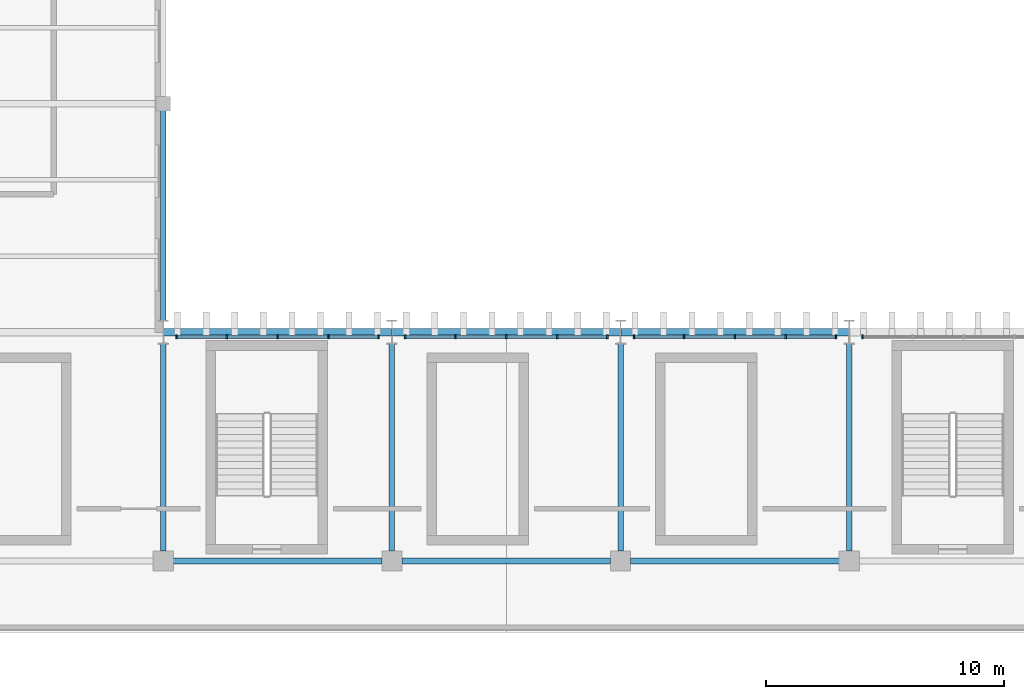
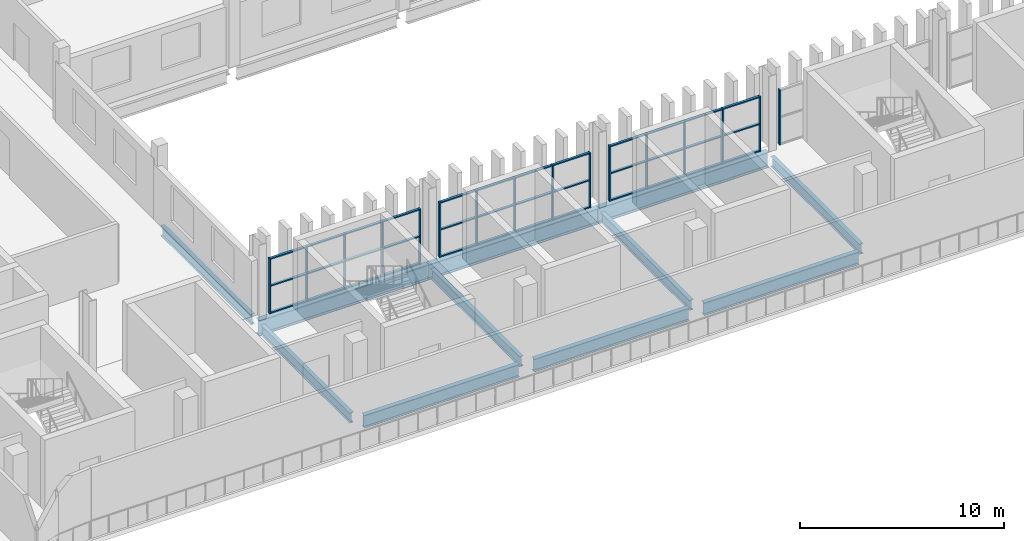
# One storey, part 22 of 92: 52 members, 11 beams, 4 elements without a shape of their own.
"""IFC4 building model written with IfcOpenShell, lengths in metres."""

from ifc_helpers import new_model, si_unit, direction, frame, origin, origin_2d, place, context, subcontext, project, spatial, rectangle, i_section, extrude, material, layer, layer_set, material_profile, profile_set, type_object, element, aggregate, save


model = new_model("IFC4")

# Units and contexts
model_context = context("Model", 3, precision=1e-05, world=origin(), true_north=direction((0.0, 1.0)))
body_context = subcontext(model_context, "Body", "Model", "MODEL_VIEW")
ifc_project = project(units=[si_unit("LENGTHUNIT", "METRE"), si_unit("AREAUNIT", "SQUARE_METRE"), si_unit("VOLUMEUNIT", "CUBIC_METRE"), si_unit("PLANEANGLEUNIT", "RADIAN"), si_unit("MASSUNIT", "GRAM", prefix="KILO")], contexts=[model_context])

# Site, building, storey
site_placement = place(None, origin())
site = spatial("IfcSite", under=ifc_project, at=site_placement, CompositionType="ELEMENT")
building_placement = place(site_placement, origin())
building = spatial("IfcBuilding", under=site, at=building_placement, Name="Caelomonte Colonnade Arena", CompositionType="ELEMENT")
storey_placement = place(building_placement, frame((0.0, 0.0, 9.60009765625)))
storey = spatial("IfcBuildingStorey", under=building, at=storey_placement, Name="L02", CompositionType="ELEMENT", Elevation=9.60009765625)

# Curtain wall, member
ifc_material_1 = material(Name="Bronze anodised aluminium and low-E glazing", Category="aluminium")
ifc_layer = layer(ifc_material_1, 0.179931640625)
ifc_layer_set = layer_set([ifc_layer], Name="Bronze anodised aluminium and low-E glazing")
curtain_wall_type = type_object("IfcCurtainWallType", Name="ENV-CW-CW-L02-96-33", PredefinedType="USERDEFINED", material=ifc_layer_set)
curtain_wall_1_placement = place(storey_placement, origin())
curtain_wall_1 = element("IfcCurtainWall", 1, at=curtain_wall_1_placement, inside=storey, type_object=curtain_wall_type, Name="L02 unitized curtain wall CW-L02-1296-1150", ObjectType="UNITIZED CURTAIN WALL", PredefinedType="USERDEFINED")
ifc_material_2 = material(Name="Bronze anodised aluminium AA6063-T6", Category="aluminium")
ifc_material_profile_1 = material_profile(ifc_material_2, rectangle(XDim=0.070068359375, YDim=0.179931640625, at=origin_2d()), Name="CWM-70X180")
ifc_profile_set_1 = profile_set([ifc_material_profile_1], Name="Bronze anodised aluminium AA6063-T6")
member_type_1 = type_object("IfcMemberType", Name="ENV-CW-MULL1", PredefinedType="MULLION", material=ifc_profile_set_1)
member_1_placement = place(storey_placement, frame((125.360595703125, 115.02001953125, 0.0), z_axis=(0.0, 0.0, 1.0), x_axis=(-1.0, 0.0, 0.0)))
member_1 = element("IfcMember", 2, at=member_1_placement, type_object=member_type_1, Name="CW-L02-96-33 mullion 5", PredefinedType="MULLION", context=body_context, shape_type="SweptSolid", body=[
    extrude(rectangle(XDim=0.070068359375, YDim=0.179931640625, at=origin_2d()), origin(), (0.0, 0.0, 1.0), 3.29296875),
])
aggregate(curtain_wall_1, [member_1])

# Curtain wall, members
curtain_wall_2_placement = place(storey_placement, origin())
curtain_wall_2 = element("IfcCurtainWall", 3, at=curtain_wall_2_placement, inside=storey, type_object=curtain_wall_type, Name="L02 unitized curtain wall CW-L02-1200-1150", ObjectType="UNITIZED CURTAIN WALL", PredefinedType="USERDEFINED")
member_2_placement = place(storey_placement, frame((124.239501953125, 115.02001953125, 0.0), z_axis=(0.0, 0.0, 1.0), x_axis=(-1.0, 0.0, 0.0)))
member_2 = element("IfcMember", 4, at=member_2_placement, type_object=member_type_1, Name="CW-L02-96-33 mullion 1", PredefinedType="MULLION", context=body_context, shape_type="SweptSolid", body=[
    extrude(rectangle(XDim=0.070068359375, YDim=0.179931640625, at=origin_2d()), origin(), (0.0, 0.0, 1.0), 3.29296875),
])
member_3_placement = place(storey_placement, frame((122.13720703125, 115.02001953125, 0.0), z_axis=(0.0, 0.0, 1.0), x_axis=(-1.0, 0.0, 0.0)))
member_3 = element("IfcMember", 5, at=member_3_placement, type_object=member_type_1, Name="CW-L02-96-33 mullion 2", PredefinedType="MULLION", context=body_context, shape_type="SweptSolid", body=[
    extrude(rectangle(XDim=0.070068359375, YDim=0.179931640625, at=origin_2d()), origin(), (0.0, 0.0, 1.0), 3.29296875),
])
member_4_placement = place(storey_placement, frame((120.0, 115.02001953125, 0.0), z_axis=(0.0, 0.0, 1.0), x_axis=(-1.0, 0.0, 0.0)))
member_4 = element("IfcMember", 6, at=member_4_placement, type_object=member_type_1, Name="CW-L02-96-33 mullion 3", PredefinedType="MULLION", context=body_context, shape_type="SweptSolid", body=[
    extrude(rectangle(XDim=0.070068359375, YDim=0.179931640625, at=origin_2d()), origin(), (0.0, 0.0, 1.0), 3.29296875),
])
member_5_placement = place(storey_placement, frame((117.86279296875, 115.02001953125, 0.0), z_axis=(0.0, 0.0, 1.0), x_axis=(-1.0, 0.0, 0.0)))
member_5 = element("IfcMember", 7, at=member_5_placement, type_object=member_type_1, Name="CW-L02-96-33 mullion 4", PredefinedType="MULLION", context=body_context, shape_type="SweptSolid", body=[
    extrude(rectangle(XDim=0.070068359375, YDim=0.179931640625, at=origin_2d()), origin(), (0.0, 0.0, 1.0), 3.29296875),
])
member_6_placement = place(storey_placement, frame((115.760498046875, 115.02001953125, 0.0), z_axis=(0.0, 0.0, 1.0), x_axis=(-1.0, 0.0, 0.0)))
member_6 = element("IfcMember", 8, at=member_6_placement, type_object=member_type_1, Name="CW-L02-96-33 mullion 5", PredefinedType="MULLION", context=body_context, shape_type="SweptSolid", body=[
    extrude(rectangle(XDim=0.070068359375, YDim=0.179931640625, at=origin_2d()), origin(), (0.0, 0.0, 1.0), 3.29296875),
])

curtain_wall_3_placement = place(storey_placement, origin())
curtain_wall_3 = element("IfcCurtainWall", 9, at=curtain_wall_3_placement, inside=storey, type_object=curtain_wall_type, Name="L02 unitized curtain wall CW-L02-1104-1150", ObjectType="UNITIZED CURTAIN WALL", PredefinedType="USERDEFINED")
member_7_placement = place(storey_placement, frame((114.639404296875, 115.02001953125, 0.0), z_axis=(0.0, 0.0, 1.0), x_axis=(-1.0, 0.0, 0.0)))
member_7 = element("IfcMember", 10, at=member_7_placement, type_object=member_type_1, Name="CW-L02-96-33 mullion 1", PredefinedType="MULLION", context=body_context, shape_type="SweptSolid", body=[
    extrude(rectangle(XDim=0.070068359375, YDim=0.179931640625, at=origin_2d()), origin(), (0.0, 0.0, 1.0), 3.29296875),
])
member_8_placement = place(storey_placement, frame((112.537353515625, 115.02001953125, 0.0), z_axis=(0.0, 0.0, 1.0), x_axis=(-1.0, 0.0, 0.0)))
member_8 = element("IfcMember", 11, at=member_8_placement, type_object=member_type_1, Name="CW-L02-96-33 mullion 2", PredefinedType="MULLION", context=body_context, shape_type="SweptSolid", body=[
    extrude(rectangle(XDim=0.070068359375, YDim=0.179931640625, at=origin_2d()), origin(), (0.0, 0.0, 1.0), 3.29296875),
])
member_9_placement = place(storey_placement, frame((110.39990234375, 115.02001953125, 0.0), z_axis=(0.0, 0.0, 1.0), x_axis=(-1.0, 0.0, 0.0)))
member_9 = element("IfcMember", 12, at=member_9_placement, type_object=member_type_1, Name="CW-L02-96-33 mullion 3", PredefinedType="MULLION", context=body_context, shape_type="SweptSolid", body=[
    extrude(rectangle(XDim=0.070068359375, YDim=0.179931640625, at=origin_2d()), origin(), (0.0, 0.0, 1.0), 3.29296875),
])
member_10_placement = place(storey_placement, frame((108.2626953125, 115.02001953125, 0.0), z_axis=(0.0, 0.0, 1.0), x_axis=(-1.0, 0.0, 0.0)))
member_10 = element("IfcMember", 13, at=member_10_placement, type_object=member_type_1, Name="CW-L02-96-33 mullion 4", PredefinedType="MULLION", context=body_context, shape_type="SweptSolid", body=[
    extrude(rectangle(XDim=0.070068359375, YDim=0.179931640625, at=origin_2d()), origin(), (0.0, 0.0, 1.0), 3.29296875),
])
member_11_placement = place(storey_placement, frame((106.160400390625, 115.02001953125, 0.0), z_axis=(0.0, 0.0, 1.0), x_axis=(-1.0, 0.0, 0.0)))
member_11 = element("IfcMember", 14, at=member_11_placement, type_object=member_type_1, Name="CW-L02-96-33 mullion 5", PredefinedType="MULLION", context=body_context, shape_type="SweptSolid", body=[
    extrude(rectangle(XDim=0.070068359375, YDim=0.179931640625, at=origin_2d()), origin(), (0.0, 0.0, 1.0), 3.29296875),
])

curtain_wall_4_placement = place(storey_placement, origin())
curtain_wall_4 = element("IfcCurtainWall", 15, at=curtain_wall_4_placement, inside=storey, type_object=curtain_wall_type, Name="L02 unitized curtain wall CW-L02-1008-1150", ObjectType="UNITIZED CURTAIN WALL", PredefinedType="USERDEFINED")
member_12_placement = place(storey_placement, frame((105.03955078125, 115.02001953125, 0.0), z_axis=(0.0, 0.0, 1.0), x_axis=(-1.0, 0.0, 0.0)))
member_12 = element("IfcMember", 16, at=member_12_placement, type_object=member_type_1, Name="CW-L02-96-33 mullion 1", PredefinedType="MULLION", context=body_context, shape_type="SweptSolid", body=[
    extrude(rectangle(XDim=0.070068359375, YDim=0.179931640625, at=origin_2d()), origin(), (0.0, 0.0, 1.0), 3.29296875),
])
member_13_placement = place(storey_placement, frame((102.937255859375, 115.02001953125, 0.0), z_axis=(0.0, 0.0, 1.0), x_axis=(-1.0, 0.0, 0.0)))
member_13 = element("IfcMember", 17, at=member_13_placement, type_object=member_type_1, Name="CW-L02-96-33 mullion 2", PredefinedType="MULLION", context=body_context, shape_type="SweptSolid", body=[
    extrude(rectangle(XDim=0.070068359375, YDim=0.179931640625, at=origin_2d()), origin(), (0.0, 0.0, 1.0), 3.29296875),
])
member_14_placement = place(storey_placement, frame((100.800048828125, 115.02001953125, 0.0), z_axis=(0.0, 0.0, 1.0), x_axis=(-1.0, 0.0, 0.0)))
member_14 = element("IfcMember", 18, at=member_14_placement, type_object=member_type_1, Name="CW-L02-96-33 mullion 3", PredefinedType="MULLION", context=body_context, shape_type="SweptSolid", body=[
    extrude(rectangle(XDim=0.070068359375, YDim=0.179931640625, at=origin_2d()), origin(), (0.0, 0.0, 1.0), 3.29296875),
])
member_15_placement = place(storey_placement, frame((98.662841796875, 115.02001953125, 0.0), z_axis=(0.0, 0.0, 1.0), x_axis=(-1.0, 0.0, 0.0)))
member_15 = element("IfcMember", 19, at=member_15_placement, type_object=member_type_1, Name="CW-L02-96-33 mullion 4", PredefinedType="MULLION", context=body_context, shape_type="SweptSolid", body=[
    extrude(rectangle(XDim=0.070068359375, YDim=0.179931640625, at=origin_2d()), origin(), (0.0, 0.0, 1.0), 3.29296875),
])
member_16_placement = place(storey_placement, frame((96.560546875, 115.02001953125, 0.0), z_axis=(0.0, 0.0, 1.0), x_axis=(-1.0, 0.0, 0.0)))
member_16 = element("IfcMember", 20, at=member_16_placement, type_object=member_type_1, Name="CW-L02-96-33 mullion 5", PredefinedType="MULLION", context=body_context, shape_type="SweptSolid", body=[
    extrude(rectangle(XDim=0.070068359375, YDim=0.179931640625, at=origin_2d()), origin(), (0.0, 0.0, 1.0), 3.29296875),
])

# Member
ifc_material_profile_2 = material_profile(ifc_material_2, rectangle(XDim=0.070068359375, YDim=0.139892578125, at=origin_2d()), Name="CWT-70X140")
ifc_profile_set_2 = profile_set([ifc_material_profile_2], Name="Bronze anodised aluminium AA6063-T6")
member_type_2 = type_object("IfcMemberType", Name="ENV-CW-TRAN1", PredefinedType="USERDEFINED", material=ifc_profile_set_2)
member_17_placement = place(storey_placement, frame((124.20458984375, 115.02001953125, 0.034912109375), z_axis=(-1.0, 0.0, 0.0), x_axis=(0.0, 0.0, 1.0)))
member_17 = element("IfcMember", 21, at=member_17_placement, type_object=member_type_2, Name="CW-L02-96-33 transom 1.1", ObjectType="TRANSOM", PredefinedType="USERDEFINED", context=body_context, shape_type="SweptSolid", body=[
    extrude(rectangle(XDim=0.070068359375, YDim=0.139892578125, at=origin_2d()), origin(), (0.0, 0.0, 1.0), 2.0322265625),
])

member_18_placement = place(storey_placement, frame((124.20458984375, 115.02001953125, 1.646484375), z_axis=(-1.0, 0.0, 0.0), x_axis=(0.0, 0.0, 1.0)))
member_18 = element("IfcMember", 22, at=member_18_placement, type_object=member_type_2, Name="CW-L02-96-33 transom 1.2", ObjectType="TRANSOM", PredefinedType="USERDEFINED", context=body_context, shape_type="SweptSolid", body=[
    extrude(rectangle(XDim=0.070068359375, YDim=0.139892578125, at=origin_2d()), origin(), (0.0, 0.0, 1.0), 2.0322265625),
])

member_19_placement = place(storey_placement, frame((124.20458984375, 115.02001953125, 3.2578125), z_axis=(-1.0, 0.0, 0.0), x_axis=(0.0, 0.0, 1.0)))
member_19 = element("IfcMember", 23, at=member_19_placement, type_object=member_type_2, Name="CW-L02-96-33 transom 1.3", ObjectType="TRANSOM", PredefinedType="USERDEFINED", context=body_context, shape_type="SweptSolid", body=[
    extrude(rectangle(XDim=0.070068359375, YDim=0.139892578125, at=origin_2d()), origin(), (0.0, 0.0, 1.0), 2.0322265625),
])

member_20_placement = place(storey_placement, frame((122.102294921875, 115.02001953125, 0.034912109375), z_axis=(-1.0, 0.0, 0.0), x_axis=(0.0, 0.0, 1.0)))
member_20 = element("IfcMember", 24, at=member_20_placement, type_object=member_type_2, Name="CW-L02-96-33 transom 2.1", ObjectType="TRANSOM", PredefinedType="USERDEFINED", context=body_context, shape_type="SweptSolid", body=[
    extrude(rectangle(XDim=0.070068359375, YDim=0.139892578125, at=origin_2d()), origin(), (0.0, 0.0, 1.0), 2.0673828125),
])

member_21_placement = place(storey_placement, frame((122.102294921875, 115.02001953125, 1.646484375), z_axis=(-1.0, 0.0, 0.0), x_axis=(0.0, 0.0, 1.0)))
member_21 = element("IfcMember", 25, at=member_21_placement, type_object=member_type_2, Name="CW-L02-96-33 transom 2.2", ObjectType="TRANSOM", PredefinedType="USERDEFINED", context=body_context, shape_type="SweptSolid", body=[
    extrude(rectangle(XDim=0.070068359375, YDim=0.139892578125, at=origin_2d()), origin(), (0.0, 0.0, 1.0), 2.0673828125),
])

member_22_placement = place(storey_placement, frame((122.102294921875, 115.02001953125, 3.2578125), z_axis=(-1.0, 0.0, 0.0), x_axis=(0.0, 0.0, 1.0)))
member_22 = element("IfcMember", 26, at=member_22_placement, type_object=member_type_2, Name="CW-L02-96-33 transom 2.3", ObjectType="TRANSOM", PredefinedType="USERDEFINED", context=body_context, shape_type="SweptSolid", body=[
    extrude(rectangle(XDim=0.070068359375, YDim=0.139892578125, at=origin_2d()), origin(), (0.0, 0.0, 1.0), 2.0673828125),
])

member_23_placement = place(storey_placement, frame((119.965087890625, 115.02001953125, 0.034912109375), z_axis=(-1.0, 0.0, 0.0), x_axis=(0.0, 0.0, 1.0)))
member_23 = element("IfcMember", 27, at=member_23_placement, type_object=member_type_2, Name="CW-L02-96-33 transom 3.1", ObjectType="TRANSOM", PredefinedType="USERDEFINED", context=body_context, shape_type="SweptSolid", body=[
    extrude(rectangle(XDim=0.070068359375, YDim=0.139892578125, at=origin_2d()), origin(), (0.0, 0.0, 1.0), 2.0673828125),
])

member_24_placement = place(storey_placement, frame((119.965087890625, 115.02001953125, 1.646484375), z_axis=(-1.0, 0.0, 0.0), x_axis=(0.0, 0.0, 1.0)))
member_24 = element("IfcMember", 28, at=member_24_placement, type_object=member_type_2, Name="CW-L02-96-33 transom 3.2", ObjectType="TRANSOM", PredefinedType="USERDEFINED", context=body_context, shape_type="SweptSolid", body=[
    extrude(rectangle(XDim=0.070068359375, YDim=0.139892578125, at=origin_2d()), origin(), (0.0, 0.0, 1.0), 2.0673828125),
])

member_25_placement = place(storey_placement, frame((119.965087890625, 115.02001953125, 3.2578125), z_axis=(-1.0, 0.0, 0.0), x_axis=(0.0, 0.0, 1.0)))
member_25 = element("IfcMember", 29, at=member_25_placement, type_object=member_type_2, Name="CW-L02-96-33 transom 3.3", ObjectType="TRANSOM", PredefinedType="USERDEFINED", context=body_context, shape_type="SweptSolid", body=[
    extrude(rectangle(XDim=0.070068359375, YDim=0.139892578125, at=origin_2d()), origin(), (0.0, 0.0, 1.0), 2.0673828125),
])

member_26_placement = place(storey_placement, frame((117.82763671875, 115.02001953125, 0.034912109375), z_axis=(-1.0, 0.0, 0.0), x_axis=(0.0, 0.0, 1.0)))
member_26 = element("IfcMember", 30, at=member_26_placement, type_object=member_type_2, Name="CW-L02-96-33 transom 4.1", ObjectType="TRANSOM", PredefinedType="USERDEFINED", context=body_context, shape_type="SweptSolid", body=[
    extrude(rectangle(XDim=0.070068359375, YDim=0.139892578125, at=origin_2d()), origin(), (0.0, 0.0, 1.0), 2.0322265625),
])

member_27_placement = place(storey_placement, frame((117.82763671875, 115.02001953125, 1.646484375), z_axis=(-1.0, 0.0, 0.0), x_axis=(0.0, 0.0, 1.0)))
member_27 = element("IfcMember", 31, at=member_27_placement, type_object=member_type_2, Name="CW-L02-96-33 transom 4.2", ObjectType="TRANSOM", PredefinedType="USERDEFINED", context=body_context, shape_type="SweptSolid", body=[
    extrude(rectangle(XDim=0.070068359375, YDim=0.139892578125, at=origin_2d()), origin(), (0.0, 0.0, 1.0), 2.0322265625),
])

member_28_placement = place(storey_placement, frame((117.82763671875, 115.02001953125, 3.2578125), z_axis=(-1.0, 0.0, 0.0), x_axis=(0.0, 0.0, 1.0)))
member_28 = element("IfcMember", 32, at=member_28_placement, type_object=member_type_2, Name="CW-L02-96-33 transom 4.3", ObjectType="TRANSOM", PredefinedType="USERDEFINED", context=body_context, shape_type="SweptSolid", body=[
    extrude(rectangle(XDim=0.070068359375, YDim=0.139892578125, at=origin_2d()), origin(), (0.0, 0.0, 1.0), 2.0322265625),
])

aggregate(curtain_wall_2, [member_2, member_3, member_4, member_5, member_6, member_17, member_18, member_19, member_20, member_21, member_22, member_23, member_24, member_25, member_26, member_27, member_28])

member_29_placement = place(storey_placement, frame((114.6044921875, 115.02001953125, 0.034912109375), z_axis=(-1.0, 0.0, 0.0), x_axis=(0.0, 0.0, 1.0)))
member_29 = element("IfcMember", 33, at=member_29_placement, type_object=member_type_2, Name="CW-L02-96-33 transom 1.1", ObjectType="TRANSOM", PredefinedType="USERDEFINED", context=body_context, shape_type="SweptSolid", body=[
    extrude(rectangle(XDim=0.070068359375, YDim=0.139892578125, at=origin_2d()), origin(), (0.0, 0.0, 1.0), 2.0322265625),
])

member_30_placement = place(storey_placement, frame((114.6044921875, 115.02001953125, 1.646484375), z_axis=(-1.0, 0.0, 0.0), x_axis=(0.0, 0.0, 1.0)))
member_30 = element("IfcMember", 34, at=member_30_placement, type_object=member_type_2, Name="CW-L02-96-33 transom 1.2", ObjectType="TRANSOM", PredefinedType="USERDEFINED", context=body_context, shape_type="SweptSolid", body=[
    extrude(rectangle(XDim=0.070068359375, YDim=0.139892578125, at=origin_2d()), origin(), (0.0, 0.0, 1.0), 2.0322265625),
])

member_31_placement = place(storey_placement, frame((114.6044921875, 115.02001953125, 3.2578125), z_axis=(-1.0, 0.0, 0.0), x_axis=(0.0, 0.0, 1.0)))
member_31 = element("IfcMember", 35, at=member_31_placement, type_object=member_type_2, Name="CW-L02-96-33 transom 1.3", ObjectType="TRANSOM", PredefinedType="USERDEFINED", context=body_context, shape_type="SweptSolid", body=[
    extrude(rectangle(XDim=0.070068359375, YDim=0.139892578125, at=origin_2d()), origin(), (0.0, 0.0, 1.0), 2.0322265625),
])

member_32_placement = place(storey_placement, frame((112.502197265625, 115.02001953125, 0.034912109375), z_axis=(-1.0, 0.0, 0.0), x_axis=(0.0, 0.0, 1.0)))
member_32 = element("IfcMember", 36, at=member_32_placement, type_object=member_type_2, Name="CW-L02-96-33 transom 2.1", ObjectType="TRANSOM", PredefinedType="USERDEFINED", context=body_context, shape_type="SweptSolid", body=[
    extrude(rectangle(XDim=0.070068359375, YDim=0.139892578125, at=origin_2d()), origin(), (0.0, 0.0, 1.0), 2.067138671875),
])

member_33_placement = place(storey_placement, frame((112.502197265625, 115.02001953125, 1.646484375), z_axis=(-1.0, 0.0, 0.0), x_axis=(0.0, 0.0, 1.0)))
member_33 = element("IfcMember", 37, at=member_33_placement, type_object=member_type_2, Name="CW-L02-96-33 transom 2.2", ObjectType="TRANSOM", PredefinedType="USERDEFINED", context=body_context, shape_type="SweptSolid", body=[
    extrude(rectangle(XDim=0.070068359375, YDim=0.139892578125, at=origin_2d()), origin(), (0.0, 0.0, 1.0), 2.067138671875),
])

member_34_placement = place(storey_placement, frame((112.502197265625, 115.02001953125, 3.2578125), z_axis=(-1.0, 0.0, 0.0), x_axis=(0.0, 0.0, 1.0)))
member_34 = element("IfcMember", 38, at=member_34_placement, type_object=member_type_2, Name="CW-L02-96-33 transom 2.3", ObjectType="TRANSOM", PredefinedType="USERDEFINED", context=body_context, shape_type="SweptSolid", body=[
    extrude(rectangle(XDim=0.070068359375, YDim=0.139892578125, at=origin_2d()), origin(), (0.0, 0.0, 1.0), 2.067138671875),
])

member_35_placement = place(storey_placement, frame((110.364990234375, 115.02001953125, 0.034912109375), z_axis=(-1.0, 0.0, 0.0), x_axis=(0.0, 0.0, 1.0)))
member_35 = element("IfcMember", 39, at=member_35_placement, type_object=member_type_2, Name="CW-L02-96-33 transom 3.1", ObjectType="TRANSOM", PredefinedType="USERDEFINED", context=body_context, shape_type="SweptSolid", body=[
    extrude(rectangle(XDim=0.070068359375, YDim=0.139892578125, at=origin_2d()), origin(), (0.0, 0.0, 1.0), 2.067138671875),
])

member_36_placement = place(storey_placement, frame((110.364990234375, 115.02001953125, 1.646484375), z_axis=(-1.0, 0.0, 0.0), x_axis=(0.0, 0.0, 1.0)))
member_36 = element("IfcMember", 40, at=member_36_placement, type_object=member_type_2, Name="CW-L02-96-33 transom 3.2", ObjectType="TRANSOM", PredefinedType="USERDEFINED", context=body_context, shape_type="SweptSolid", body=[
    extrude(rectangle(XDim=0.070068359375, YDim=0.139892578125, at=origin_2d()), origin(), (0.0, 0.0, 1.0), 2.067138671875),
])

member_37_placement = place(storey_placement, frame((110.364990234375, 115.02001953125, 3.2578125), z_axis=(-1.0, 0.0, 0.0), x_axis=(0.0, 0.0, 1.0)))
member_37 = element("IfcMember", 41, at=member_37_placement, type_object=member_type_2, Name="CW-L02-96-33 transom 3.3", ObjectType="TRANSOM", PredefinedType="USERDEFINED", context=body_context, shape_type="SweptSolid", body=[
    extrude(rectangle(XDim=0.070068359375, YDim=0.139892578125, at=origin_2d()), origin(), (0.0, 0.0, 1.0), 2.067138671875),
])

member_38_placement = place(storey_placement, frame((108.227783203125, 115.02001953125, 0.034912109375), z_axis=(-1.0, 0.0, 0.0), x_axis=(0.0, 0.0, 1.0)))
member_38 = element("IfcMember", 42, at=member_38_placement, type_object=member_type_2, Name="CW-L02-96-33 transom 4.1", ObjectType="TRANSOM", PredefinedType="USERDEFINED", context=body_context, shape_type="SweptSolid", body=[
    extrude(rectangle(XDim=0.070068359375, YDim=0.139892578125, at=origin_2d()), origin(), (0.0, 0.0, 1.0), 2.0322265625),
])

member_39_placement = place(storey_placement, frame((108.227783203125, 115.02001953125, 1.646484375), z_axis=(-1.0, 0.0, 0.0), x_axis=(0.0, 0.0, 1.0)))
member_39 = element("IfcMember", 43, at=member_39_placement, type_object=member_type_2, Name="CW-L02-96-33 transom 4.2", ObjectType="TRANSOM", PredefinedType="USERDEFINED", context=body_context, shape_type="SweptSolid", body=[
    extrude(rectangle(XDim=0.070068359375, YDim=0.139892578125, at=origin_2d()), origin(), (0.0, 0.0, 1.0), 2.0322265625),
])

member_40_placement = place(storey_placement, frame((108.227783203125, 115.02001953125, 3.2578125), z_axis=(-1.0, 0.0, 0.0), x_axis=(0.0, 0.0, 1.0)))
member_40 = element("IfcMember", 44, at=member_40_placement, type_object=member_type_2, Name="CW-L02-96-33 transom 4.3", ObjectType="TRANSOM", PredefinedType="USERDEFINED", context=body_context, shape_type="SweptSolid", body=[
    extrude(rectangle(XDim=0.070068359375, YDim=0.139892578125, at=origin_2d()), origin(), (0.0, 0.0, 1.0), 2.0322265625),
])

aggregate(curtain_wall_3, [member_7, member_8, member_9, member_10, member_11, member_29, member_30, member_31, member_32, member_33, member_34, member_35, member_36, member_37, member_38, member_39, member_40])

member_41_placement = place(storey_placement, frame((105.00439453125, 115.02001953125, 0.034912109375), z_axis=(-1.0, 0.0, 0.0), x_axis=(0.0, 0.0, 1.0)))
member_41 = element("IfcMember", 45, at=member_41_placement, type_object=member_type_2, Name="CW-L02-96-33 transom 1.1", ObjectType="TRANSOM", PredefinedType="USERDEFINED", context=body_context, shape_type="SweptSolid", body=[
    extrude(rectangle(XDim=0.070068359375, YDim=0.139892578125, at=origin_2d()), origin(), (0.0, 0.0, 1.0), 2.0322265625),
])

member_42_placement = place(storey_placement, frame((105.00439453125, 115.02001953125, 1.646484375), z_axis=(-1.0, 0.0, 0.0), x_axis=(0.0, 0.0, 1.0)))
member_42 = element("IfcMember", 46, at=member_42_placement, type_object=member_type_2, Name="CW-L02-96-33 transom 1.2", ObjectType="TRANSOM", PredefinedType="USERDEFINED", context=body_context, shape_type="SweptSolid", body=[
    extrude(rectangle(XDim=0.070068359375, YDim=0.139892578125, at=origin_2d()), origin(), (0.0, 0.0, 1.0), 2.0322265625),
])

member_43_placement = place(storey_placement, frame((105.00439453125, 115.02001953125, 3.2578125), z_axis=(-1.0, 0.0, 0.0), x_axis=(0.0, 0.0, 1.0)))
member_43 = element("IfcMember", 47, at=member_43_placement, type_object=member_type_2, Name="CW-L02-96-33 transom 1.3", ObjectType="TRANSOM", PredefinedType="USERDEFINED", context=body_context, shape_type="SweptSolid", body=[
    extrude(rectangle(XDim=0.070068359375, YDim=0.139892578125, at=origin_2d()), origin(), (0.0, 0.0, 1.0), 2.0322265625),
])

member_44_placement = place(storey_placement, frame((102.90234375, 115.02001953125, 0.034912109375), z_axis=(-1.0, 0.0, 0.0), x_axis=(0.0, 0.0, 1.0)))
member_44 = element("IfcMember", 48, at=member_44_placement, type_object=member_type_2, Name="CW-L02-96-33 transom 2.1", ObjectType="TRANSOM", PredefinedType="USERDEFINED", context=body_context, shape_type="SweptSolid", body=[
    extrude(rectangle(XDim=0.070068359375, YDim=0.139892578125, at=origin_2d()), origin(), (0.0, 0.0, 1.0), 2.0673828125),
])

member_45_placement = place(storey_placement, frame((102.90234375, 115.02001953125, 1.646484375), z_axis=(-1.0, 0.0, 0.0), x_axis=(0.0, 0.0, 1.0)))
member_45 = element("IfcMember", 49, at=member_45_placement, type_object=member_type_2, Name="CW-L02-96-33 transom 2.2", ObjectType="TRANSOM", PredefinedType="USERDEFINED", context=body_context, shape_type="SweptSolid", body=[
    extrude(rectangle(XDim=0.070068359375, YDim=0.139892578125, at=origin_2d()), origin(), (0.0, 0.0, 1.0), 2.0673828125),
])

member_46_placement = place(storey_placement, frame((102.90234375, 115.02001953125, 3.2578125), z_axis=(-1.0, 0.0, 0.0), x_axis=(0.0, 0.0, 1.0)))
member_46 = element("IfcMember", 50, at=member_46_placement, type_object=member_type_2, Name="CW-L02-96-33 transom 2.3", ObjectType="TRANSOM", PredefinedType="USERDEFINED", context=body_context, shape_type="SweptSolid", body=[
    extrude(rectangle(XDim=0.070068359375, YDim=0.139892578125, at=origin_2d()), origin(), (0.0, 0.0, 1.0), 2.0673828125),
])

member_47_placement = place(storey_placement, frame((100.764892578125, 115.02001953125, 0.034912109375), z_axis=(-1.0, 0.0, 0.0), x_axis=(0.0, 0.0, 1.0)))
member_47 = element("IfcMember", 51, at=member_47_placement, type_object=member_type_2, Name="CW-L02-96-33 transom 3.1", ObjectType="TRANSOM", PredefinedType="USERDEFINED", context=body_context, shape_type="SweptSolid", body=[
    extrude(rectangle(XDim=0.070068359375, YDim=0.139892578125, at=origin_2d()), origin(), (0.0, 0.0, 1.0), 2.067138671875),
])

member_48_placement = place(storey_placement, frame((100.764892578125, 115.02001953125, 1.646484375), z_axis=(-1.0, 0.0, 0.0), x_axis=(0.0, 0.0, 1.0)))
member_48 = element("IfcMember", 52, at=member_48_placement, type_object=member_type_2, Name="CW-L02-96-33 transom 3.2", ObjectType="TRANSOM", PredefinedType="USERDEFINED", context=body_context, shape_type="SweptSolid", body=[
    extrude(rectangle(XDim=0.070068359375, YDim=0.139892578125, at=origin_2d()), origin(), (0.0, 0.0, 1.0), 2.067138671875),
])

member_49_placement = place(storey_placement, frame((100.764892578125, 115.02001953125, 3.2578125), z_axis=(-1.0, 0.0, 0.0), x_axis=(0.0, 0.0, 1.0)))
member_49 = element("IfcMember", 53, at=member_49_placement, type_object=member_type_2, Name="CW-L02-96-33 transom 3.3", ObjectType="TRANSOM", PredefinedType="USERDEFINED", context=body_context, shape_type="SweptSolid", body=[
    extrude(rectangle(XDim=0.070068359375, YDim=0.139892578125, at=origin_2d()), origin(), (0.0, 0.0, 1.0), 2.067138671875),
])

member_50_placement = place(storey_placement, frame((98.627685546875, 115.02001953125, 0.034912109375), z_axis=(-1.0, 0.0, 0.0), x_axis=(0.0, 0.0, 1.0)))
member_50 = element("IfcMember", 54, at=member_50_placement, type_object=member_type_2, Name="CW-L02-96-33 transom 4.1", ObjectType="TRANSOM", PredefinedType="USERDEFINED", context=body_context, shape_type="SweptSolid", body=[
    extrude(rectangle(XDim=0.070068359375, YDim=0.139892578125, at=origin_2d()), origin(), (0.0, 0.0, 1.0), 2.0322265625),
])

member_51_placement = place(storey_placement, frame((98.627685546875, 115.02001953125, 1.646484375), z_axis=(-1.0, 0.0, 0.0), x_axis=(0.0, 0.0, 1.0)))
member_51 = element("IfcMember", 55, at=member_51_placement, type_object=member_type_2, Name="CW-L02-96-33 transom 4.2", ObjectType="TRANSOM", PredefinedType="USERDEFINED", context=body_context, shape_type="SweptSolid", body=[
    extrude(rectangle(XDim=0.070068359375, YDim=0.139892578125, at=origin_2d()), origin(), (0.0, 0.0, 1.0), 2.0322265625),
])

member_52_placement = place(storey_placement, frame((98.627685546875, 115.02001953125, 3.2578125), z_axis=(-1.0, 0.0, 0.0), x_axis=(0.0, 0.0, 1.0)))
member_52 = element("IfcMember", 56, at=member_52_placement, type_object=member_type_2, Name="CW-L02-96-33 transom 4.3", ObjectType="TRANSOM", PredefinedType="USERDEFINED", context=body_context, shape_type="SweptSolid", body=[
    extrude(rectangle(XDim=0.070068359375, YDim=0.139892578125, at=origin_2d()), origin(), (0.0, 0.0, 1.0), 2.0322265625),
])

aggregate(curtain_wall_4, [member_12, member_13, member_14, member_15, member_16, member_41, member_42, member_43, member_44, member_45, member_46, member_47, member_48, member_49, member_50, member_51, member_52])

# Beams
ifc_material_3 = material(Name="Wide-flange steel ASTM A992 Grade 50", Category="steel")
ifc_material_profile_3 = material_profile(ifc_material_3, i_section(OverallWidth=0.307861328125, OverallDepth=0.927001953125, WebThickness=0.019287109375, FlangeThickness=0.031982421875, FilletRadius=0.020263671875, at=origin_2d()), Name="W36X194")
ifc_profile_set_3 = profile_set([ifc_material_profile_3], Name="Wide-flange steel ASTM A992 Grade 50")
beam_type_1 = type_object("IfcBeamType", Name="STR-BM-EAVES2", PredefinedType="SPANDREL", material=ifc_profile_set_3)
for number, where, z_axis, x_axis, name in (
    (57, (96.01171875, 115.199951171875, -0.74365234375), (1.0, 0.0, 0.0), (0.0, 1.0, 0.0), "L02 girder BMX-L02-0960-1152"),
    (58, (105.61181640625, 115.199951171875, -0.74365234375), (1.0, 0.0, 0.0), (0.0, 1.0, 0.0), "L02 girder BMX-L02-1056-1152"),
):
    element("IfcBeam", number, at=place(storey_placement, frame(where, z_axis=z_axis, x_axis=x_axis)), inside=storey, type_object=beam_type_1, Name=name, PredefinedType="SPANDREL", context=body_context, shape_type="SweptSolid", body=[
        extrude(i_section(OverallWidth=0.307861328125, OverallDepth=0.927001953125, WebThickness=0.019287109375, FlangeThickness=0.031982421875, FilletRadius=0.020263671875, at=origin_2d()), origin(), (0.0, 0.0, 1.0), 9.576416015625),
    ])
beam_1_placement = place(storey_placement, frame((115.2119140625, 115.199951171875, -0.74365234375), z_axis=(1.0, 0.0, 0.0), x_axis=(0.0, 1.0, 0.0)))
element("IfcBeam", 59, at=beam_1_placement, inside=storey, type_object=beam_type_1, Name="L02 girder BMX-L02-1152-1152", PredefinedType="SPANDREL", context=body_context, shape_type="SweptSolid", body=[
    extrude(i_section(OverallWidth=0.307861328125, OverallDepth=0.927001953125, WebThickness=0.019287109375, FlangeThickness=0.031982421875, FilletRadius=0.020263671875, at=origin_2d()), origin(), (0.0, 0.0, 1.0), 9.576171875),
])
ifc_material_profile_4 = material_profile(ifc_material_3, i_section(OverallWidth=0.228271484375, OverallDepth=0.607177734375, WebThickness=0.01123046875, FlangeThickness=0.017333984375, FilletRadius=0.0126953125, at=origin_2d()), Name="W24X76")
ifc_profile_set_4 = profile_set([ifc_material_profile_4], Name="Wide-flange steel ASTM A992 Grade 50")
beam_type_2 = type_object("IfcBeamType", Name="STR-BM-GIRD24", PredefinedType="BEAM", material=ifc_profile_set_4)
beam_2_placement = place(storey_placement, frame((96.0, 106.01708984375, -0.58349609375), z_axis=(0.0, 1.0, 0.0), x_axis=(-1.0, 0.0, 0.0)))
element("IfcBeam", 60, at=beam_2_placement, inside=storey, type_object=beam_type_2, Name="L02 girder BMY-L02-0960-1056", PredefinedType="BEAM", context=body_context, shape_type="SweptSolid", body=[
    extrude(i_section(OverallWidth=0.228271484375, OverallDepth=0.607177734375, WebThickness=0.01123046875, FlangeThickness=0.017333984375, FilletRadius=0.0126953125, at=origin_2d()), origin(), (0.0, 0.0, 1.0), 8.685546875),
])
beam_3_placement = place(storey_placement, frame((96.0, 115.697509765625, -0.58349609375), z_axis=(0.0, 1.0, 0.0), x_axis=(-1.0, 0.0, 0.0)))
element("IfcBeam", 61, at=beam_3_placement, inside=storey, type_object=beam_type_2, Name="L02 girder BMY-L02-0960-1152", PredefinedType="BEAM", context=body_context, shape_type="SweptSolid", body=[
    extrude(i_section(OverallWidth=0.228271484375, OverallDepth=0.607177734375, WebThickness=0.01123046875, FlangeThickness=0.017333984375, FilletRadius=0.0126953125, at=origin_2d()), origin(), (0.0, 0.0, 1.0), 8.810546875),
])
for number, where, z_axis, x_axis, name in (
    (62, (105.60009765625, 106.01708984375, -0.58349609375), (0.0, 1.0, 0.0), (-1.0, 0.0, 0.0), "L02 girder BMY-L02-1056-1056"),
    (63, (115.199951171875, 106.01708984375, -0.58349609375), (0.0, 1.0, 0.0), (-1.0, 0.0, 0.0), "L02 girder BMY-L02-1152-1056"),
    (64, (124.800048828125, 106.01708984375, -0.58349609375), (0.0, 1.0, 0.0), (-1.0, 0.0, 0.0), "L02 girder BMY-L02-1248-1056"),
):
    element("IfcBeam", number, at=place(storey_placement, frame(where, z_axis=z_axis, x_axis=x_axis)), inside=storey, type_object=beam_type_2, Name=name, PredefinedType="BEAM", context=body_context, shape_type="SweptSolid", body=[
        extrude(i_section(OverallWidth=0.228271484375, OverallDepth=0.607177734375, WebThickness=0.01123046875, FlangeThickness=0.017333984375, FilletRadius=0.0126953125, at=origin_2d()), origin(), (0.0, 0.0, 1.0), 8.685546875),
    ])
ifc_material_profile_5 = material_profile(ifc_material_3, i_section(OverallWidth=0.2666015625, OverallDepth=0.761962890625, WebThickness=0.014404296875, FlangeThickness=0.021484375, FilletRadius=0.0166015625, at=origin_2d()), Name="W30X116")
ifc_profile_set_5 = profile_set([ifc_material_profile_5], Name="Wide-flange steel ASTM A992 Grade 50")
beam_type_3 = type_object("IfcBeamType", Name="STR-BM-GIRD30", PredefinedType="BEAM", material=ifc_profile_set_5)
beam_4_placement = place(storey_placement, frame((96.4169921875, 105.60009765625, -0.6611328125), z_axis=(1.0, 0.0, 0.0), x_axis=(0.0, 1.0, 0.0)))
element("IfcBeam", 65, at=beam_4_placement, inside=storey, type_object=beam_type_3, Name="L02 girder BMX-L02-0960-1056", PredefinedType="BEAM", context=body_context, shape_type="SweptSolid", body=[
    extrude(i_section(OverallWidth=0.2666015625, OverallDepth=0.761962890625, WebThickness=0.014404296875, FlangeThickness=0.021484375, FilletRadius=0.0166015625, at=origin_2d()), origin(), (0.0, 0.0, 1.0), 8.76611328125),
])
beam_5_placement = place(storey_placement, frame((106.01708984375, 105.60009765625, -0.6611328125), z_axis=(1.0, 0.0, 0.0), x_axis=(0.0, 1.0, 0.0)))
element("IfcBeam", 66, at=beam_5_placement, inside=storey, type_object=beam_type_3, Name="L02 girder BMX-L02-1056-1056", PredefinedType="BEAM", context=body_context, shape_type="SweptSolid", body=[
    extrude(i_section(OverallWidth=0.2666015625, OverallDepth=0.761962890625, WebThickness=0.014404296875, FlangeThickness=0.021484375, FilletRadius=0.0166015625, at=origin_2d()), origin(), (0.0, 0.0, 1.0), 8.765869140625),
])
beam_6_placement = place(storey_placement, frame((115.616943359375, 105.60009765625, -0.6611328125), z_axis=(1.0, 0.0, 0.0), x_axis=(0.0, 1.0, 0.0)))
element("IfcBeam", 67, at=beam_6_placement, inside=storey, type_object=beam_type_3, Name="L02 girder BMX-L02-1152-1056", PredefinedType="BEAM", context=body_context, shape_type="SweptSolid", body=[
    extrude(i_section(OverallWidth=0.2666015625, OverallDepth=0.761962890625, WebThickness=0.014404296875, FlangeThickness=0.021484375, FilletRadius=0.0166015625, at=origin_2d()), origin(), (0.0, 0.0, 1.0), 8.76611328125),
])

save(model, "model.ifc")
